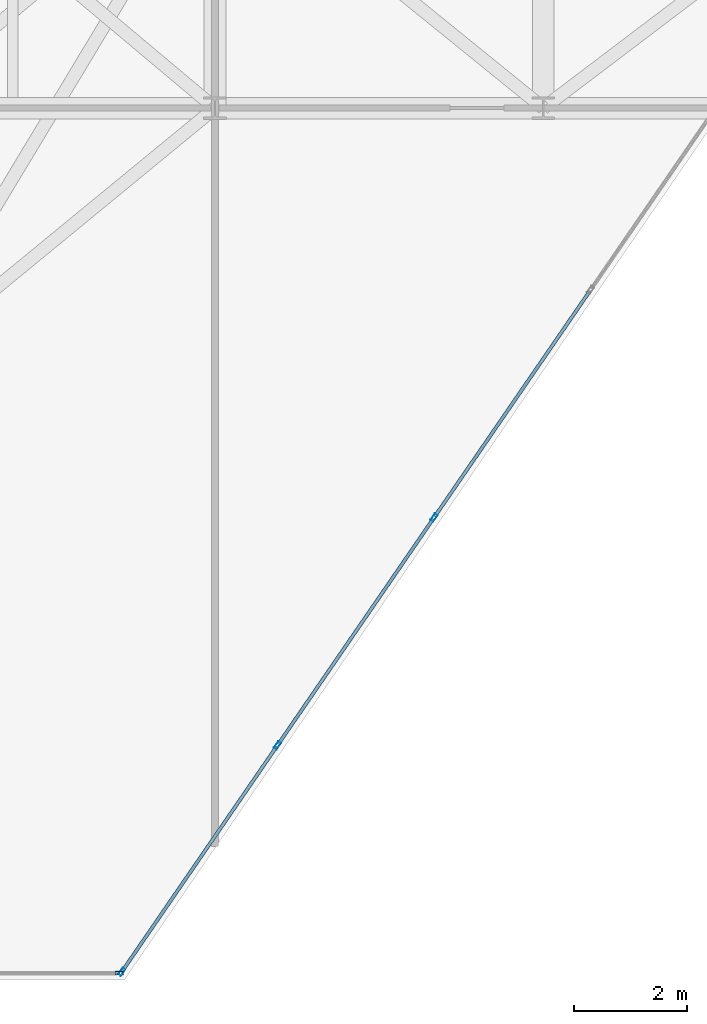
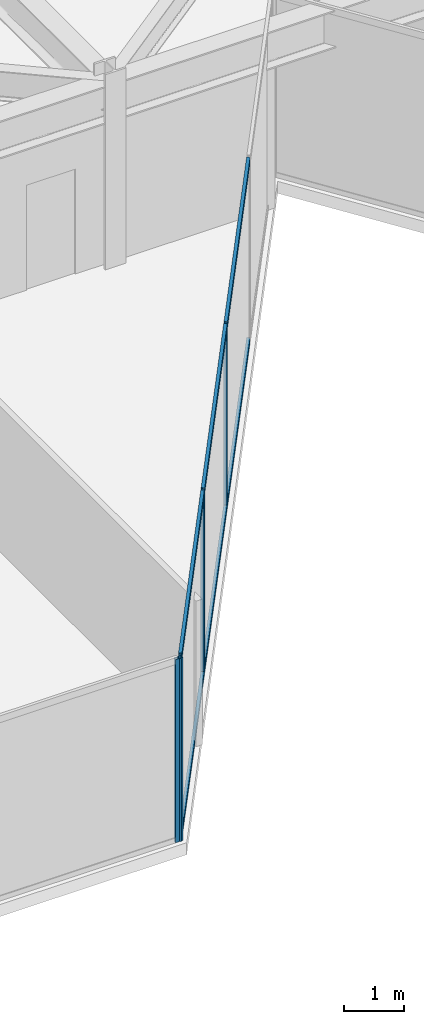
# One storey, part 6 of 26: 10 members, 2 elements without a shape of their own.
"""IFC4 building model written with IfcOpenShell, lengths in metres."""

from ifc_helpers import new_model, si_unit, direction, frame, origin, origin_2d, place, context, subcontext, project, spatial, hollow_rectangle, extrude, material, layer, layer_set, material_profile, profile_set, type_object, element, aggregate, save


model = new_model("IFC4")

# Units and contexts
model_context = context("Model", 3, precision=1e-05, world=origin(), true_north=direction((0.0, 1.0)))
body_context = subcontext(model_context, "Body", "Model", "MODEL_VIEW")
ifc_project = project(units=[si_unit("LENGTHUNIT", "METRE"), si_unit("AREAUNIT", "SQUARE_METRE"), si_unit("VOLUMEUNIT", "CUBIC_METRE"), si_unit("PLANEANGLEUNIT", "RADIAN"), si_unit("MASSUNIT", "GRAM", prefix="KILO")], contexts=[model_context])

# Site, building, storey
site_placement = place(None, origin())
site = spatial("IfcSite", under=ifc_project, at=site_placement, CompositionType="ELEMENT")
building_placement = place(site_placement, origin())
building = spatial("IfcBuilding", under=site, at=building_placement, Name="Kravanh Interchange Tower", CompositionType="ELEMENT")
storey_placement = place(building_placement, frame((0.0, 0.0, 204.5)))
storey = spatial("IfcBuildingStorey", under=building, at=storey_placement, Name="L49", CompositionType="ELEMENT", Elevation=204.5)

# Curtain wall, members
ifc_material_1 = material(Name="Anodised Bronze Aluminium", Category="aluminium")
ifc_layer = layer(ifc_material_1, 0.179931640625)
ifc_layer_set = layer_set([ifc_layer], Name="Unitised Curtain Wall System CW-Z3 Upper Office")
curtain_wall_type = type_object("IfcCurtainWallType", Name="Unitised Curtain Wall System CW-Z3 Upper Office", PredefinedType="NOTDEFINED", material=ifc_layer_set)
curtain_wall_1_placement = place(storey_placement, origin())
curtain_wall_1 = element("IfcCurtainWall", 1, at=curtain_wall_1_placement, inside=storey, type_object=curtain_wall_type, Name="L49 Unitised Curtain Wall CW-L49-05", PredefinedType="NOTDEFINED")
ifc_material_2 = material(Name="Anodised Bronze Aluminium", Category="aluminium")
ifc_material_profile_1 = material_profile(ifc_material_2, hollow_rectangle(XDim=0.06005859375, YDim=0.139892578125, WallThickness=0.00390625, at=origin_2d()), Name="ALU60X140X4")
ifc_profile_set_1 = profile_set([ifc_material_profile_1], Name="Anodised Bronze Aluminium")
member_type_1 = type_object("IfcMemberType", Name="Curtain Wall Mullion ALU60X140X4 Bronze", PredefinedType="MULLION", material=ifc_profile_set_1)
member_1_placement = place(storey_placement, frame((36.66845703125, 19.56591796875, 0.0), z_axis=(0.0, 0.0, 1.0), x_axis=(0.824042223035, -0.566528388217, 0.0)))
member_1 = element("IfcMember", 2, at=member_1_placement, type_object=member_type_1, Name="CW-Z3 mullion 3", PredefinedType="MULLION", context=body_context, shape_type="SweptSolid", body=[
    extrude(hollow_rectangle(XDim=0.06005859375, YDim=0.139892578125, WallThickness=0.00390625, at=origin_2d()), origin(), (0.0, 0.0, 1.0), 3.7548828125),
])
member_2_placement = place(storey_placement, frame((33.902587890625, 15.54296875, 0.0), z_axis=(0.0, 0.0, 1.0), x_axis=(0.824042223035, -0.566528388217, 0.0)))
member_2 = element("IfcMember", 3, at=member_2_placement, type_object=member_type_1, Name="CW-Z3 mullion 4", PredefinedType="MULLION", context=body_context, shape_type="SweptSolid", body=[
    extrude(hollow_rectangle(XDim=0.06005859375, YDim=0.139892578125, WallThickness=0.00390625, at=origin_2d()), origin(), (0.0, 0.0, 1.0), 3.7548828125),
])
member_3_placement = place(storey_placement, frame((31.15380859375, 11.544677734375, 0.0), z_axis=(0.0, 0.0, 1.0), x_axis=(0.824042223035, -0.566528388217, 0.0)))
member_3 = element("IfcMember", 4, at=member_3_placement, type_object=member_type_1, Name="CW-Z3 mullion 5", PredefinedType="MULLION", context=body_context, shape_type="SweptSolid", body=[
    extrude(hollow_rectangle(XDim=0.06005859375, YDim=0.139892578125, WallThickness=0.00390625, at=origin_2d()), origin(), (0.0, 0.0, 1.0), 3.7548828125),
])

# Curtain wall, member
curtain_wall_2_placement = place(storey_placement, origin())
curtain_wall_2 = element("IfcCurtainWall", 5, at=curtain_wall_2_placement, inside=storey, type_object=curtain_wall_type, Name="L49 Unitised Curtain Wall CW-L49-06", PredefinedType="NOTDEFINED")
member_4_placement = place(storey_placement, frame((31.10693359375, 11.52001953125, 0.0), z_axis=(0.0, 0.0, 1.0), x_axis=(0.0, -1.0, 0.0)))
member_4 = element("IfcMember", 6, at=member_4_placement, type_object=member_type_1, Name="CW-Z3 mullion 1", PredefinedType="MULLION", context=body_context, shape_type="SweptSolid", body=[
    extrude(hollow_rectangle(XDim=0.06005859375, YDim=0.139892578125, WallThickness=0.00390625, at=origin_2d()), origin(), (0.0, 0.0, 1.0), 3.7548828125),
])
aggregate(curtain_wall_2, [member_4])

# Member
ifc_material_3 = material(Name="Anodised Bronze Aluminium", Category="aluminium")
ifc_material_profile_2 = material_profile(ifc_material_3, hollow_rectangle(XDim=0.06005859375, YDim=0.139892578125, WallThickness=0.00390625, at=origin_2d()), Name="ALU60X140X4")
ifc_profile_set_2 = profile_set([ifc_material_profile_2], Name="Anodised Bronze Aluminium")
member_type_2 = type_object("IfcMemberType", Name="Curtain Wall Transom ALU60X140X4 Bronze", PredefinedType="USERDEFINED", material=ifc_profile_set_2)
member_5_placement = place(storey_placement, frame((39.417236328125, 23.564208984375, 0.030029296875), z_axis=(-0.566503037389, -0.824059651135, 0.0), x_axis=(0.824059651135, -0.566503037389, 0.0)))
member_5 = element("IfcMember", 7, at=member_5_placement, type_object=member_type_2, Name="CW-Z3 transom 2.1", ObjectType="TRANSOM", PredefinedType="USERDEFINED", context=body_context, shape_type="SweptSolid", body=[
    extrude(hollow_rectangle(XDim=0.06005859375, YDim=0.139892578125, WallThickness=0.00390625, at=origin_2d()), origin(), (0.0, 0.0, 1.0), 4.822021484375),
])

member_6_placement = place(storey_placement, frame((39.417236328125, 23.564208984375, 3.72509765625), z_axis=(-0.566503037389, -0.824059651135, 0.0), x_axis=(0.824059651135, -0.566503037389, 0.0)))
member_6 = element("IfcMember", 8, at=member_6_placement, type_object=member_type_2, Name="CW-Z3 transom 2.2", ObjectType="TRANSOM", PredefinedType="USERDEFINED", context=body_context, shape_type="SweptSolid", body=[
    extrude(hollow_rectangle(XDim=0.06005859375, YDim=0.139892578125, WallThickness=0.00390625, at=origin_2d()), origin(), (0.0, 0.0, 1.0), 4.822021484375),
])

member_7_placement = place(storey_placement, frame((36.6513671875, 19.541259765625, 0.030029296875), z_axis=(-0.566503037389, -0.824059651135, 0.0), x_axis=(0.824059651135, -0.566503037389, 0.0)))
member_7 = element("IfcMember", 9, at=member_7_placement, type_object=member_type_2, Name="CW-Z3 transom 3.1", ObjectType="TRANSOM", PredefinedType="USERDEFINED", context=body_context, shape_type="SweptSolid", body=[
    extrude(hollow_rectangle(XDim=0.06005859375, YDim=0.139892578125, WallThickness=0.00390625, at=origin_2d()), origin(), (0.0, 0.0, 1.0), 4.822021484375),
])

member_8_placement = place(storey_placement, frame((36.6513671875, 19.541259765625, 3.72509765625), z_axis=(-0.566503037389, -0.824059651135, 0.0), x_axis=(0.824059651135, -0.566503037389, 0.0)))
member_8 = element("IfcMember", 10, at=member_8_placement, type_object=member_type_2, Name="CW-Z3 transom 3.2", ObjectType="TRANSOM", PredefinedType="USERDEFINED", context=body_context, shape_type="SweptSolid", body=[
    extrude(hollow_rectangle(XDim=0.06005859375, YDim=0.139892578125, WallThickness=0.00390625, at=origin_2d()), origin(), (0.0, 0.0, 1.0), 4.822021484375),
])

member_9_placement = place(storey_placement, frame((33.8857421875, 15.518310546875, 0.030029296875), z_axis=(-0.566518012045, -0.824049356549, 0.0), x_axis=(0.824049356549, -0.566518012045, 0.0)))
member_9 = element("IfcMember", 11, at=member_9_placement, type_object=member_type_2, Name="CW-Z3 transom 4.1", ObjectType="TRANSOM", PredefinedType="USERDEFINED", context=body_context, shape_type="SweptSolid", body=[
    extrude(hollow_rectangle(XDim=0.06005859375, YDim=0.139892578125, WallThickness=0.00390625, at=origin_2d()), origin(), (0.0, 0.0, 1.0), 4.792236328125),
])

member_10_placement = place(storey_placement, frame((33.8857421875, 15.518310546875, 3.72509765625), z_axis=(-0.566518012045, -0.824049356549, 0.0), x_axis=(0.824049356549, -0.566518012045, 0.0)))
member_10 = element("IfcMember", 12, at=member_10_placement, type_object=member_type_2, Name="CW-Z3 transom 4.2", ObjectType="TRANSOM", PredefinedType="USERDEFINED", context=body_context, shape_type="SweptSolid", body=[
    extrude(hollow_rectangle(XDim=0.06005859375, YDim=0.139892578125, WallThickness=0.00390625, at=origin_2d()), origin(), (0.0, 0.0, 1.0), 4.792236328125),
])

aggregate(curtain_wall_1, [member_1, member_2, member_3, member_5, member_6, member_7, member_8, member_9, member_10])

save(model, "model.ifc")
